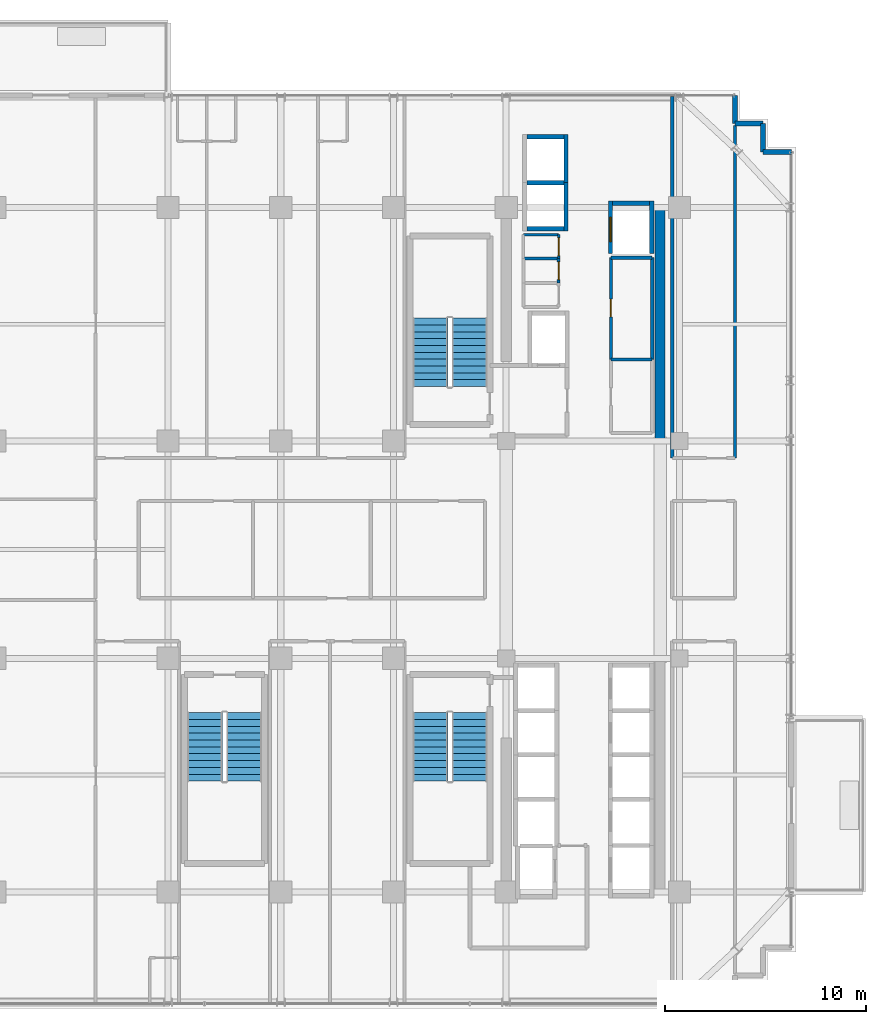
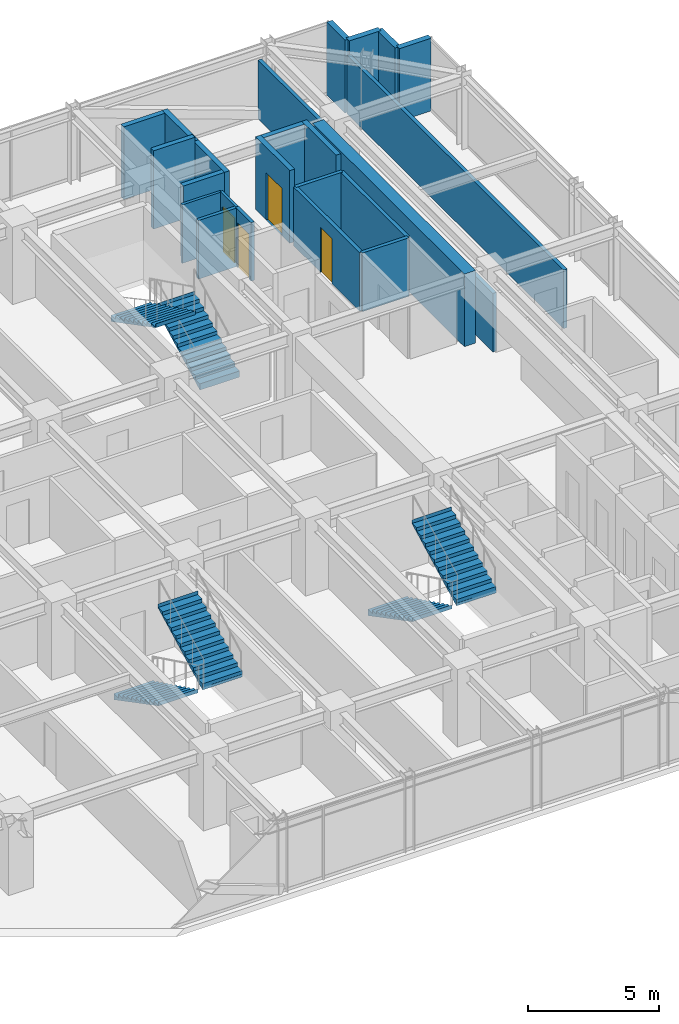
# One storey, part 25 of 29: 23 walls, 6 stair flights, 4 doors, 4 openings, 3 elements without a shape of their own.
"""IFC4 building model written with IfcOpenShell, lengths in metres."""

from ifc_helpers import new_model, si_unit, direction, frame, frame_2d, origin, place, context, subcontext, project, spatial, polyline, rectangle, outline, extrude, source, transform, mapped, material, layer, layer_set, type_object, element, fill, aggregate, save


model = new_model("IFC4")

# Units and contexts
model_context = context("Model", 3, precision=1e-05, world=origin(), true_north=direction((0.0, 1.0)))
body_context = subcontext(model_context, "Body", "Model", "MODEL_VIEW")
ifc_project = project(units=[si_unit("LENGTHUNIT", "METRE"), si_unit("AREAUNIT", "SQUARE_METRE"), si_unit("VOLUMEUNIT", "CUBIC_METRE"), si_unit("PLANEANGLEUNIT", "RADIAN"), si_unit("MASSUNIT", "GRAM", prefix="KILO")], contexts=[model_context])

# Site, building, storey
site_placement = place(None, origin())
site = spatial("IfcSite", under=ifc_project, at=site_placement, CompositionType="ELEMENT")
building_placement = place(site_placement, origin())
building = spatial("IfcBuilding", under=site, at=building_placement, Name="Nahalor Promenade Grand Hotel", CompositionType="ELEMENT")
storey_placement = place(building_placement, frame((0.0, 0.0, 189.14990234375)))
storey = spatial("IfcBuildingStorey", under=building, at=storey_placement, Name="L48", CompositionType="ELEMENT", Elevation=189.14990234375)

# Walls
ifc_material_1 = material(Name="Concrete B-60 (C50/60)", Category="concrete")
ifc_layer_1 = layer(ifc_material_1, 0.5)
ifc_layer_set_1 = layer_set([ifc_layer_1], Name="Concrete B-60 (C50/60)")
wall_type_1 = type_object("IfcWallType", Name="Wall-CoreShear-500", PredefinedType="SHEAR", material=ifc_layer_set_1)
shared_shape_1 = source(origin(), body_context, "Body", "SweptSolid", [
    extrude(rectangle(XDim=11.60009765625, YDim=0.5, at=frame_2d((5.800048828125, 0.0))), origin(), (0.0, 0.0, 1.0), 3.39013671875),
])
wall_1_placement = place(storey_placement, frame((16.050048828125, 5.39990234375, 0.0), z_axis=(0.0, 0.0, 1.0), x_axis=(0.0, 1.0, 0.0)))
element("IfcWall", 1, at=wall_1_placement, inside=storey, type_object=wall_type_1, Name="CWALL-L48-NE", PredefinedType="SHEAR", context=body_context, shape_type="MappedRepresentation", body=[
    mapped(shared_shape_1, transform((0.0, 0.0, 0.0), scale=1.0)),
])
ifc_material_2 = material(Name="Concrete B-50 (C40/50)", Category="concrete")
ifc_layer_2 = layer(ifc_material_2, 0.219970703125)
ifc_layer_set_2 = layer_set([ifc_layer_2], Name="Concrete B-50 (C40/50)")
wall_type_2 = type_object("IfcWallType", Name="Wall-LiftShaft-220", PredefinedType="SHEAR", material=ifc_layer_set_2)
shared_shape_2 = source(origin(), body_context, "Body", "SweptSolid", [
    extrude(rectangle(XDim=1.820068359375, YDim=0.219970703125, at=frame_2d((0.91015625, 0.0))), origin(), (0.0, 0.0, 1.0), 3.650146484375),
])
wall_2_placement = place(storey_placement, frame((9.43994140625, 18.22509765625, 0.0), z_axis=(0.0, 0.0, 1.0), x_axis=(1.0, 0.0, 0.0)))
element("IfcWall", 2, at=wall_2_placement, inside=storey, type_object=wall_type_2, Name="L48 Lift OB1 Hoistway Wall N", PredefinedType="SHEAR", context=body_context, shape_type="MappedRepresentation", body=[
    mapped(shared_shape_2, transform((0.0, 0.0, 0.0), scale=1.0)),
])
shared_shape_3 = source(origin(), body_context, "Body", "SweptSolid", [
    extrude(rectangle(XDim=1.820068359375, YDim=0.219970703125, at=frame_2d((0.91015625, 0.0))), origin(), (0.0, 0.0, 1.0), 3.39013671875),
])
for number, where, z_axis, x_axis, name in (
    (3, (9.43994140625, 15.949951171875, 0.0), (0.0, 0.0, 1.0), (1.0, 0.0, 0.0), "L48 Lift OB1 Hoistway Wall S"),
    (4, (9.43994140625, 20.5, 0.0), (0.0, 0.0, 1.0), (1.0, 0.0, 0.0), "L48 Lift OB2 Hoistway Wall N"),
    (5, (13.68994140625, 17.199951171875, 0.0), (0.0, 0.0, 1.0), (1.0, 0.0, 0.0), "L48 Lift SV1 Hoistway Wall N"),
):
    element("IfcWall", number, at=place(storey_placement, frame(where, z_axis=z_axis, x_axis=x_axis)), inside=storey, type_object=wall_type_2, Name=name, PredefinedType="SHEAR", context=body_context, shape_type="MappedRepresentation", body=[
        mapped(shared_shape_3, transform((0.0, 0.0, 0.0), scale=1.0)),
    ])
shared_shape_4 = source(origin(), body_context, "Body", "SweptSolid", [
    extrude(rectangle(XDim=2.385009765625, YDim=0.219970703125, at=frame_2d((1.1923828125, 0.0))), origin(), (0.0, 0.0, 1.0), 3.39013671875),
])
for number, where, z_axis, x_axis, name in (
    (6, (11.3701171875, 15.840087890625, 0.0), (0.0, 0.0, 1.0), (0.0, 1.0, 0.0), "L48 Lift OB1 Hoistway Wall E"),
    (7, (11.3701171875, 18.22509765625, 0.0), (0.0, 0.0, 1.0), (0.0, 1.0, 0.0), "L48 Lift OB2 Hoistway Wall E"),
):
    element("IfcWall", number, at=place(storey_placement, frame(where, z_axis=z_axis, x_axis=x_axis)), inside=storey, type_object=wall_type_2, Name=name, PredefinedType="SHEAR", context=body_context, shape_type="MappedRepresentation", body=[
        mapped(shared_shape_4, transform((0.0, 0.0, 0.0), scale=1.0)),
    ])

# Wall, opening, door
shared_shape_5 = source(origin(), body_context, "Body", "SweptSolid", [
    extrude(rectangle(XDim=2.610107421875, YDim=0.219970703125, at=frame_2d((1.30517578125, 0.0))), origin(), (0.0, 0.0, 1.0), 3.39013671875),
])
wall_3_placement = place(storey_placement, frame((13.580078125, 14.699951171875, 0.0), z_axis=(0.0, 0.0, 1.0), x_axis=(0.0, 1.0, 0.0)))
wall_3 = element("IfcWall", 8, at=wall_3_placement, inside=storey, type_object=wall_type_2, Name="L48 Lift SV1 Hoistway Wall W", PredefinedType="SHEAR", context=body_context, shape_type="MappedRepresentation", body=[
    mapped(shared_shape_5, transform((0.0, 0.0, 0.0), scale=1.0)),
])
opening_1_placement = place(wall_3_placement, frame((0.60009765625, 0.0, 0.0)))
opening_1 = element("IfcOpeningElement", 9, at=opening_1_placement, cuts=wall_3, Name="Opening LD-03", PredefinedType="OPENING", context=body_context, shape_type="SweptSolid", body=[
    extrude(rectangle(XDim=1.199951171875, YDim=2.199951171875, at=frame_2d((0.60009765625, 1.10009765625))), frame((0.0, 0.119873046875, 0.0), z_axis=(0.0, -1.0, 0.0), x_axis=(1.0, 0.0, 0.0)), (0.0, 0.0, 1.0), 0.239990234375),
])
ifc_material_3 = material(Name="Steel S355JR", Category="steel")
door_type_1 = type_object("IfcDoorType", Name="Door-LiftService-1200", OperationType="DOUBLE_DOOR_SLIDING", PredefinedType="DOOR", material=ifc_material_3)
shared_shape_6 = source(origin(), body_context, "Body", "SweptSolid", [
    extrude(rectangle(XDim=1.199951171875, YDim=2.199951171875, at=frame_2d((0.60009765625, 1.10009765625))), frame((0.0, 0.02490234375, 0.0), z_axis=(0.0, -1.0, 0.0), x_axis=(1.0, 0.0, 0.0)), (0.0, 0.0, 1.0), 0.050048828125),
])
door_1_placement = place(opening_1_placement, origin())
door_1 = element("IfcDoor", 10, at=door_1_placement, inside=storey, type_object=door_type_1, Name="DR-LIFT-SV1-L48", OperationType="DOUBLE_DOOR_SLIDING", OverallHeight=2.199951171875, OverallWidth=1.199951171875, PredefinedType="DOOR", context=body_context, shape_type="MappedRepresentation", body=[
    mapped(shared_shape_6, transform((0.0, 0.0, 0.0), scale=1.0)),
])
fill(opening_1, door_1)

# Walls
wall_4_placement = place(storey_placement, frame((15.6201171875, 14.699951171875, 0.0), z_axis=(0.0, 0.0, 1.0), x_axis=(0.0, 1.0, 0.0)))
element("IfcWall", 11, at=wall_4_placement, inside=storey, type_object=wall_type_2, Name="L48 Lift SV1 Hoistway Wall E", PredefinedType="SHEAR", context=body_context, shape_type="MappedRepresentation", body=[
    mapped(shared_shape_5, transform((0.0, 0.0, 0.0), scale=1.0)),
])
ifc_material_4 = material(Name="Concrete B-40 (C32/40)", Category="concrete")
ifc_layer_3 = layer(ifc_material_4, 0.25)
ifc_layer_set_3 = layer_set([ifc_layer_3], Name="Concrete B-40 (C32/40)")
wall_type_3 = type_object("IfcWallType", Name="Wall-BronzePier-250", PredefinedType="STANDARD", material=ifc_layer_set_3)
shared_shape_7 = source(origin(), body_context, "Body", "SweptSolid", [
    extrude(rectangle(XDim=1.400146484375, YDim=0.25, at=frame_2d((0.7001953125, 0.0))), origin(), (0.0, 0.0, 1.0), 3.39013671875),
])
for number, where, z_axis, x_axis, name in (
    (12, (21.159912109375, 19.760009765625, 0.0), (0.0, 0.0, 1.0), (1.0, 0.0, 0.0), "W-L48-SR-05"),
    (13, (19.760009765625, 21.159912109375, 0.0), (0.0, 0.0, 1.0), (0.0, 1.0, 0.0), "W-L48-SR-08"),
):
    element("IfcWall", number, at=place(storey_placement, frame(where, z_axis=z_axis, x_axis=x_axis)), inside=storey, type_object=wall_type_3, Name=name, PredefinedType="STANDARD", context=body_context, shape_type="MappedRepresentation", body=[
        mapped(shared_shape_7, transform((0.0, 0.0, 0.0), scale=1.0)),
    ])
shared_shape_8 = source(origin(), body_context, "Body", "SweptSolid", [
    extrude(rectangle(XDim=1.39990234375, YDim=0.25, at=frame_2d((0.699951171875, 0.0))), origin(), (0.0, 0.0, 1.0), 3.39013671875),
])
for number, where, z_axis, x_axis, name in (
    (14, (21.159912109375, 19.760009765625, 0.0), (0.0, 0.0, 1.0), (0.0, 1.0, 0.0), "W-L48-SR-06"),
    (15, (19.760009765625, 21.159912109375, 0.0), (0.0, 0.0, 1.0), (1.0, 0.0, 0.0), "W-L48-SR-07"),
):
    element("IfcWall", number, at=place(storey_placement, frame(where, z_axis=z_axis, x_axis=x_axis)), inside=storey, type_object=wall_type_3, Name=name, PredefinedType="STANDARD", context=body_context, shape_type="MappedRepresentation", body=[
        mapped(shared_shape_8, transform((0.0, 0.0, 0.0), scale=1.0)),
    ])
ifc_material_5 = material(Name="Acoustic Mineral Gypsum", Category="gypsum")
ifc_layer_4 = layer(ifc_material_5, 0.14990234375)
ifc_layer_set_4 = layer_set([ifc_layer_4], Name="Acoustic Mineral Gypsum")
wall_type_4 = type_object("IfcWallType", Name="Wall-PartService-150", PredefinedType="PARTITIONING", material=ifc_layer_set_4)
shared_shape_9 = source(origin(), body_context, "Body", "SweptSolid", [
    extrude(rectangle(XDim=1.75, YDim=0.14990234375, at=frame_2d((0.875, 0.0))), origin(), (0.0, 0.0, 1.0), 2.72998046875),
])
wall_5_placement = place(storey_placement, frame((9.25, 14.449951171875, 0.0), z_axis=(0.0, 0.0, 1.0), x_axis=(1.0, 0.0, 0.0)))
element("IfcWall", 16, at=wall_5_placement, inside=storey, type_object=wall_type_4, Name="W-L48-CK3B-N", PredefinedType="PARTITIONING", context=body_context, shape_type="MappedRepresentation", body=[
    mapped(shared_shape_9, transform((0.0, 0.0, 0.0), scale=1.0)),
])
ifc_layer_5 = layer(ifc_material_5, 0.159912109375)
ifc_layer_set_5 = layer_set([ifc_layer_5], Name="Acoustic Mineral Gypsum")
wall_type_5 = type_object("IfcWallType", Name="Wall-PartCorridor-160", PredefinedType="PARTITIONING", material=ifc_layer_set_5)
shared_shape_10 = source(origin(), body_context, "Body", "SweptSolid", [
    extrude(rectangle(XDim=2.0498046875, YDim=0.159912109375, at=frame_2d((1.02490234375, 0.0))), origin(), (0.0, 0.0, 1.0), 2.72998046875),
])
for number, where, z_axis, x_axis, name in (
    (17, (13.60009765625, 9.449951171875, 0.0), (0.0, 0.0, 1.0), (1.0, 0.0, 0.0), "W-L48-FRB1A-N"),
    (18, (13.60009765625, 14.5, 0.0), (0.0, 0.0, 1.0), (1.0, 0.0, 0.0), "W-L48-FRB1B-N"),
):
    element("IfcWall", number, at=place(storey_placement, frame(where, z_axis=z_axis, x_axis=x_axis)), inside=storey, type_object=wall_type_5, Name=name, PredefinedType="PARTITIONING", context=body_context, shape_type="MappedRepresentation", body=[
        mapped(shared_shape_10, transform((0.0, 0.0, 0.0), scale=1.0)),
    ])
shared_shape_11 = source(origin(), body_context, "Body", "SweptSolid", [
    extrude(rectangle(XDim=17.949951171875, YDim=0.159912109375, at=frame_2d((8.97509765625, 0.0))), origin(), (0.0, 0.0, 1.0), 2.72998046875),
])
wall_6_placement = place(storey_placement, frame((16.64990234375, 4.550048828125, 0.0), z_axis=(0.0, 0.0, 1.0), x_axis=(0.0, 1.0, 0.0)))
element("IfcWall", 19, at=wall_6_placement, inside=storey, type_object=wall_type_5, Name="W-L48-ENE-W", PredefinedType="PARTITIONING", context=body_context, shape_type="MappedRepresentation", body=[
    mapped(shared_shape_11, transform((0.0, 0.0, 0.0), scale=1.0)),
])
shared_shape_12 = source(origin(), body_context, "Body", "SweptSolid", [
    extrude(rectangle(XDim=16.530029296875, YDim=0.159912109375, at=frame_2d((8.26513671875, 0.0))), origin(), (0.0, 0.0, 1.0), 2.72998046875),
])
wall_7_placement = place(storey_placement, frame((19.760009765625, 4.550048828125, 0.0), z_axis=(0.0, 0.0, 1.0), x_axis=(0.0, 1.0, 0.0)))
element("IfcWall", 20, at=wall_7_placement, inside=storey, type_object=wall_type_5, Name="W-L48-ENE-E", PredefinedType="PARTITIONING", context=body_context, shape_type="MappedRepresentation", body=[
    mapped(shared_shape_12, transform((0.0, 0.0, 0.0), scale=1.0)),
])
ifc_layer_6 = layer(ifc_material_5, 0.1201171875)
ifc_layer_set_6 = layer_set([ifc_layer_6], Name="Acoustic Mineral Gypsum")
wall_type_6 = type_object("IfcWallType", Name="Wall-PartBath-120", PredefinedType="PARTITIONING", material=ifc_layer_set_6)
shared_shape_13 = source(origin(), body_context, "Body", "SweptSolid", [
    extrude(rectangle(XDim=1.75, YDim=0.1201171875, at=frame_2d((0.875, 0.0))), origin(), (0.0, 0.0, 1.0), 2.72998046875),
])
wall_8_placement = place(storey_placement, frame((9.25, 15.64990234375, 0.0), z_axis=(0.0, 0.0, 1.0), x_axis=(1.0, 0.0, 0.0)))
element("IfcWall", 21, at=wall_8_placement, inside=storey, type_object=wall_type_6, Name="W-L48-CK3C-N", PredefinedType="PARTITIONING", context=body_context, shape_type="MappedRepresentation", body=[
    mapped(shared_shape_13, transform((0.0, 0.0, 0.0), scale=1.0)),
])

# Wall, opening, door
shared_shape_14 = source(origin(), body_context, "Body", "SweptSolid", [
    extrude(rectangle(XDim=1.199951171875, YDim=0.14990234375, at=frame_2d((0.60009765625, 0.0))), origin(), (0.0, 0.0, 1.0), 2.72998046875),
])
wall_9_placement = place(storey_placement, frame((11.0, 13.25, 0.0), z_axis=(0.0, 0.0, 1.0), x_axis=(0.0, 1.0, 0.0)))
wall_9 = element("IfcWall", 22, at=wall_9_placement, inside=storey, type_object=wall_type_4, Name="W-L48-CK3B-E", PredefinedType="PARTITIONING", context=body_context, shape_type="MappedRepresentation", body=[
    mapped(shared_shape_14, transform((0.0, 0.0, 0.0), scale=1.0)),
])
opening_2_placement = place(wall_9_placement, frame((0.159912109375, 0.0, 0.0)))
opening_2 = element("IfcOpeningElement", 23, at=opening_2_placement, cuts=wall_9, Name="Opening D-03", PredefinedType="OPENING", context=body_context, shape_type="SweptSolid", body=[
    extrude(rectangle(XDim=0.8798828125, YDim=2.10009765625, at=frame_2d((0.43994140625, 1.050048828125))), frame((0.0, 0.0849609375, 0.0), z_axis=(0.0, -1.0, 0.0), x_axis=(1.0, 0.0, 0.0)), (0.0, 0.0, 1.0), 0.169921875),
])
ifc_material_6 = material(Name="Fire-Rated Timber Composite", Category="wood")
door_type_2 = type_object("IfcDoorType", Name="Door-BathSwing-880", OperationType="NOTDEFINED", PredefinedType="DOOR", material=ifc_material_6)
shared_shape_15 = source(origin(), body_context, "Body", "SweptSolid", [
    extrude(rectangle(XDim=0.8798828125, YDim=2.10009765625, at=frame_2d((0.43994140625, 1.050048828125))), frame((0.0, 0.02490234375, 0.0), z_axis=(0.0, -1.0, 0.0), x_axis=(1.0, 0.0, 0.0)), (0.0, 0.0, 1.0), 0.050048828125),
])
door_2_placement = place(opening_2_placement, origin())
door_2 = element("IfcDoor", 24, at=door_2_placement, inside=storey, type_object=door_type_2, Name="DR-L48-CK3B", OperationType="SINGLE_SWING_RIGHT", OverallHeight=2.10009765625, OverallWidth=0.8798828125, PredefinedType="DOOR", context=body_context, shape_type="MappedRepresentation", body=[
    mapped(shared_shape_15, transform((0.0, 0.0, 0.0), scale=1.0)),
])
fill(opening_2, door_2)

shared_shape_16 = source(origin(), body_context, "Body", "SweptSolid", [
    extrude(rectangle(XDim=1.199951171875, YDim=0.1201171875, at=frame_2d((0.60009765625, 0.0))), origin(), (0.0, 0.0, 1.0), 2.72998046875),
])
wall_10_placement = place(storey_placement, frame((11.0, 14.449951171875, 0.0), z_axis=(0.0, 0.0, 1.0), x_axis=(0.0, 1.0, 0.0)))
wall_10 = element("IfcWall", 25, at=wall_10_placement, inside=storey, type_object=wall_type_6, Name="W-L48-CK3C-E", PredefinedType="PARTITIONING", context=body_context, shape_type="MappedRepresentation", body=[
    mapped(shared_shape_16, transform((0.0, 0.0, 0.0), scale=1.0)),
])
opening_3_placement = place(wall_10_placement, frame((0.159912109375, 0.0, 0.0)))
opening_3 = element("IfcOpeningElement", 26, at=opening_3_placement, cuts=wall_10, Name="Opening D-03", PredefinedType="OPENING", context=body_context, shape_type="SweptSolid", body=[
    extrude(rectangle(XDim=0.8798828125, YDim=2.10009765625, at=frame_2d((0.43994140625, 1.050048828125))), frame((0.0, 0.070068359375, 0.0), z_axis=(0.0, -1.0, 0.0), x_axis=(1.0, 0.0, 0.0)), (0.0, 0.0, 1.0), 0.14013671875),
])
door_3_placement = place(opening_3_placement, origin())
door_3 = element("IfcDoor", 27, at=door_3_placement, inside=storey, type_object=door_type_2, Name="DR-L48-CK3C", OperationType="SINGLE_SWING_LEFT", OverallHeight=2.10009765625, OverallWidth=0.8798828125, PredefinedType="DOOR", context=body_context, shape_type="MappedRepresentation", body=[
    mapped(shared_shape_15, transform((0.0, 0.0, 0.0), scale=1.0)),
])
fill(opening_3, door_3)

shared_shape_17 = source(origin(), body_context, "Body", "SweptSolid", [
    extrude(rectangle(XDim=5.050048828125, YDim=0.159912109375, at=frame_2d((2.52490234375, 0.0))), origin(), (0.0, 0.0, 1.0), 2.72998046875),
])
wall_11_placement = place(storey_placement, frame((13.60009765625, 9.449951171875, 0.0), z_axis=(0.0, 0.0, 1.0), x_axis=(0.0, 1.0, 0.0)))
wall_11 = element("IfcWall", 28, at=wall_11_placement, inside=storey, type_object=wall_type_5, Name="W-L48-FRB1B-W", PredefinedType="PARTITIONING", context=body_context, shape_type="MappedRepresentation", body=[
    mapped(shared_shape_17, transform((0.0, 0.0, 0.0), scale=1.0)),
])
opening_4_placement = place(wall_11_placement, frame((2.110107421875, 0.0, 0.0)))
opening_4 = element("IfcOpeningElement", 29, at=opening_4_placement, cuts=wall_11, Name="Opening D-03", PredefinedType="OPENING", context=body_context, shape_type="SweptSolid", body=[
    extrude(rectangle(XDim=0.8798828125, YDim=2.10009765625, at=frame_2d((0.43994140625, 1.050048828125))), frame((0.0, 0.08984375, 0.0), z_axis=(0.0, -1.0, 0.0), x_axis=(1.0, 0.0, 0.0)), (0.0, 0.0, 1.0), 0.179931640625),
])
door_4_placement = place(opening_4_placement, frame((0.8798828125, 0.0, 0.0), z_axis=(0.0, 0.0, 1.0), x_axis=(-1.0, 0.0, 0.0)))
door_4 = element("IfcDoor", 30, at=door_4_placement, inside=storey, type_object=door_type_2, Name="DR-L48-FRB1B", OperationType="SINGLE_SWING_LEFT", OverallHeight=2.10009765625, OverallWidth=0.8798828125, PredefinedType="DOOR", context=body_context, shape_type="MappedRepresentation", body=[
    mapped(shared_shape_15, transform((0.0, 0.0, 0.0), scale=1.0)),
])
fill(opening_4, door_4)

# Wall
wall_12_placement = place(storey_placement, frame((15.64990234375, 9.449951171875, 0.0), z_axis=(0.0, 0.0, 1.0), x_axis=(0.0, 1.0, 0.0)))
element("IfcWall", 31, at=wall_12_placement, inside=storey, type_object=wall_type_5, Name="W-L48-FRB1B-E", PredefinedType="PARTITIONING", context=body_context, shape_type="MappedRepresentation", body=[
    mapped(shared_shape_17, transform((0.0, 0.0, 0.0), scale=1.0)),
])

# Stair, stair flights
stair_type_1 = type_object("IfcStairType", Name="Stair-ST1", PredefinedType="HALF_TURN_STAIR", material=ifc_material_2)
stair_1_placement = place(storey_placement, origin())
stair_1 = element("IfcStair", 32, at=stair_1_placement, inside=storey, type_object=stair_type_1, Name="L48 ST1", PredefinedType="HALF_TURN_STAIR")
ifc_layer_7 = layer(ifc_material_2, 0.179931640625)
ifc_layer_set_7 = layer_set([ifc_layer_7], Name="Concrete B-50 (C40/50)")
stair_flight_type_1 = type_object("IfcStairFlightType", Name="Flight-ST1", PredefinedType="STRAIGHT", material=ifc_layer_set_7)
shared_shape_18 = source(origin(), body_context, "Body", "SweptSolid", [
    extrude(outline(polyline([(-0.00390625, -0.1201171875), (-0.00390625, 0.0), (0.0, 0.0), (0.0, 0.166015625), (0.340087890625, 0.166015625), (0.340087890625, 0.331787109375), (0.679931640625, 0.331787109375), (0.679931640625, 0.497802734375), (1.02001953125, 0.497802734375), (1.02001953125, 0.66357421875), (1.360107421875, 0.66357421875), (1.360107421875, 0.82958984375), (1.699951171875, 0.82958984375), (1.699951171875, 0.995361328125), (2.0400390625, 0.995361328125), (2.0400390625, 1.161376953125), (2.3798828125, 1.161376953125), (2.3798828125, 1.327392578125), (2.719970703125, 1.327392578125), (2.719970703125, 1.4931640625), (3.06005859375, 1.4931640625), (3.06005859375, 1.6591796875), (3.39990234375, 1.6591796875), (3.39990234375, 1.824951171875), (3.404052734375, 1.824951171875), (3.404052734375, 1.64501953125), (0.02001953125, -0.1201171875), (-0.00390625, -0.1201171875)])), frame((0.0, 0.875, 0.0), z_axis=(0.0, -1.0, 0.0), x_axis=(1.0, 0.0, 0.0)), (0.0, 0.0, 1.0), 1.75),
])
stair_flight_1_placement = place(storey_placement, frame((6.574951171875, 8.10009765625, 0.0), z_axis=(0.0, 0.0, 1.0), x_axis=(0.0, 1.0, 0.0)))
stair_flight_1 = element("IfcStairFlight", 33, at=stair_flight_1_placement, type_object=stair_flight_type_1, Name="ST1 flight 1", NumberOfRisers=11, NumberOfTreads=10, PredefinedType="STRAIGHT", RiserHeight=0.165909091, TreadLength=0.34, context=body_context, shape_type="MappedRepresentation", body=[
    mapped(shared_shape_18, transform((0.0, 0.0, 0.0), scale=1.0)),
])
stair_flight_2_placement = place(storey_placement, frame((4.625, 11.5, 1.8251953125), z_axis=(0.0, 0.0, 1.0), x_axis=(0.0, -1.0, 0.0)))
stair_flight_2 = element("IfcStairFlight", 34, at=stair_flight_2_placement, type_object=stair_flight_type_1, Name="ST1 flight 2", NumberOfRisers=11, NumberOfTreads=10, PredefinedType="STRAIGHT", RiserHeight=0.165909091, TreadLength=0.34, context=body_context, shape_type="MappedRepresentation", body=[
    mapped(shared_shape_18, transform((0.0, 0.0, 0.0), scale=1.0)),
])
aggregate(stair_1, [stair_flight_1, stair_flight_2])

stair_type_2 = type_object("IfcStairType", Name="Stair-ST2", PredefinedType="HALF_TURN_STAIR", material=ifc_material_2)
stair_2_placement = place(storey_placement, origin())
stair_2 = element("IfcStair", 35, at=stair_2_placement, inside=storey, type_object=stair_type_2, Name="L48 ST2", PredefinedType="HALF_TURN_STAIR")
ifc_layer_8 = layer(ifc_material_2, 0.18994140625)
ifc_layer_set_8 = layer_set([ifc_layer_8], Name="Concrete B-50 (C40/50)")
stair_flight_type_2 = type_object("IfcStairFlightType", Name="Flight-ST2", PredefinedType="STRAIGHT", material=ifc_layer_set_8)
shared_shape_19 = source(origin(), body_context, "Body", "SweptSolid", [
    extrude(outline(polyline([(-0.00390625, -0.1201171875), (-0.00390625, 0.0), (0.0, 0.0), (0.0, 0.166015625), (0.340087890625, 0.166015625), (0.340087890625, 0.331787109375), (0.679931640625, 0.331787109375), (0.679931640625, 0.497802734375), (1.02001953125, 0.497802734375), (1.02001953125, 0.66357421875), (1.360107421875, 0.66357421875), (1.360107421875, 0.82958984375), (1.699951171875, 0.82958984375), (1.699951171875, 0.995361328125), (2.0400390625, 0.995361328125), (2.0400390625, 1.161376953125), (2.3798828125, 1.161376953125), (2.3798828125, 1.327392578125), (2.719970703125, 1.327392578125), (2.719970703125, 1.4931640625), (3.06005859375, 1.4931640625), (3.06005859375, 1.6591796875), (3.39990234375, 1.6591796875), (3.39990234375, 1.824951171875), (3.404052734375, 1.824951171875), (3.404052734375, 1.64501953125), (0.02001953125, -0.1201171875), (-0.00390625, -0.1201171875)])), frame((0.0, 0.875, 0.0), z_axis=(0.0, -1.0, 0.0), x_axis=(1.0, 0.0, 0.0)), (0.0, 0.0, 1.0), 1.75),
])
stair_flight_3_placement = place(storey_placement, frame((4.625, -8.10009765625, 0.0), z_axis=(0.0, 0.0, 1.0), x_axis=(0.0, -1.0, 0.0)))
stair_flight_3 = element("IfcStairFlight", 36, at=stair_flight_3_placement, type_object=stair_flight_type_2, Name="ST2 flight 1", NumberOfRisers=11, NumberOfTreads=10, PredefinedType="STRAIGHT", RiserHeight=0.165909091, TreadLength=0.34, context=body_context, shape_type="MappedRepresentation", body=[
    mapped(shared_shape_19, transform((0.0, 0.0, 0.0), scale=1.0)),
])
stair_flight_4_placement = place(storey_placement, frame((6.574951171875, -11.5, 1.8251953125), z_axis=(0.0, 0.0, 1.0), x_axis=(0.0, 1.0, 0.0)))
stair_flight_4 = element("IfcStairFlight", 37, at=stair_flight_4_placement, type_object=stair_flight_type_2, Name="ST2 flight 2", NumberOfRisers=11, NumberOfTreads=10, PredefinedType="STRAIGHT", RiserHeight=0.165909091, TreadLength=0.34, context=body_context, shape_type="MappedRepresentation", body=[
    mapped(shared_shape_19, transform((0.0, 0.0, 0.0), scale=1.0)),
])
aggregate(stair_2, [stair_flight_3, stair_flight_4])

stair_type_3 = type_object("IfcStairType", Name="Stair-ST3", PredefinedType="HALF_TURN_STAIR", material=ifc_material_2)
stair_3_placement = place(storey_placement, origin())
stair_3 = element("IfcStair", 38, at=stair_3_placement, inside=storey, type_object=stair_type_3, Name="L48 ST3", PredefinedType="HALF_TURN_STAIR")
ifc_layer_9 = layer(ifc_material_2, 0.199951171875)
ifc_layer_set_9 = layer_set([ifc_layer_9], Name="Concrete B-50 (C40/50)")
stair_flight_type_3 = type_object("IfcStairFlightType", Name="Flight-ST3", PredefinedType="STRAIGHT", material=ifc_layer_set_9)
shared_shape_20 = source(origin(), body_context, "Body", "SweptSolid", [
    extrude(outline(polyline([(-0.00390625, -0.1201171875), (-0.00390625, 0.0), (0.0, 0.0), (0.0, 0.166015625), (0.340087890625, 0.166015625), (0.340087890625, 0.331787109375), (0.679931640625, 0.331787109375), (0.679931640625, 0.497802734375), (1.02001953125, 0.497802734375), (1.02001953125, 0.66357421875), (1.360107421875, 0.66357421875), (1.360107421875, 0.82958984375), (1.699951171875, 0.82958984375), (1.699951171875, 0.995361328125), (2.0400390625, 0.995361328125), (2.0400390625, 1.161376953125), (2.3798828125, 1.161376953125), (2.3798828125, 1.327392578125), (2.719970703125, 1.327392578125), (2.719970703125, 1.4931640625), (3.06005859375, 1.4931640625), (3.06005859375, 1.6591796875), (3.39990234375, 1.6591796875), (3.39990234375, 1.824951171875), (3.404052734375, 1.824951171875), (3.404052734375, 1.64501953125), (0.02001953125, -0.1201171875), (-0.00390625, -0.1201171875)])), frame((0.0, 0.875, 0.0), z_axis=(0.0, -1.0, 0.0), x_axis=(1.0, 0.0, 0.0)), (0.0, 0.0, 1.0), 1.75),
])
stair_flight_5_placement = place(storey_placement, frame((-6.574951171875, -8.10009765625, 0.0), z_axis=(0.0, 0.0, 1.0), x_axis=(0.0, -1.0, 0.0)))
stair_flight_5 = element("IfcStairFlight", 39, at=stair_flight_5_placement, type_object=stair_flight_type_3, Name="ST3 flight 1", NumberOfRisers=11, NumberOfTreads=10, PredefinedType="STRAIGHT", RiserHeight=0.165909091, TreadLength=0.34, context=body_context, shape_type="MappedRepresentation", body=[
    mapped(shared_shape_20, transform((0.0, 0.0, 0.0), scale=1.0)),
])
stair_flight_6_placement = place(storey_placement, frame((-4.625, -11.5, 1.8251953125), z_axis=(0.0, 0.0, 1.0), x_axis=(0.0, 1.0, 0.0)))
stair_flight_6 = element("IfcStairFlight", 40, at=stair_flight_6_placement, type_object=stair_flight_type_3, Name="ST3 flight 2", NumberOfRisers=11, NumberOfTreads=10, PredefinedType="STRAIGHT", RiserHeight=0.165909091, TreadLength=0.34, context=body_context, shape_type="MappedRepresentation", body=[
    mapped(shared_shape_20, transform((0.0, 0.0, 0.0), scale=1.0)),
])
aggregate(stair_3, [stair_flight_5, stair_flight_6])

save(model, "model.ifc")
